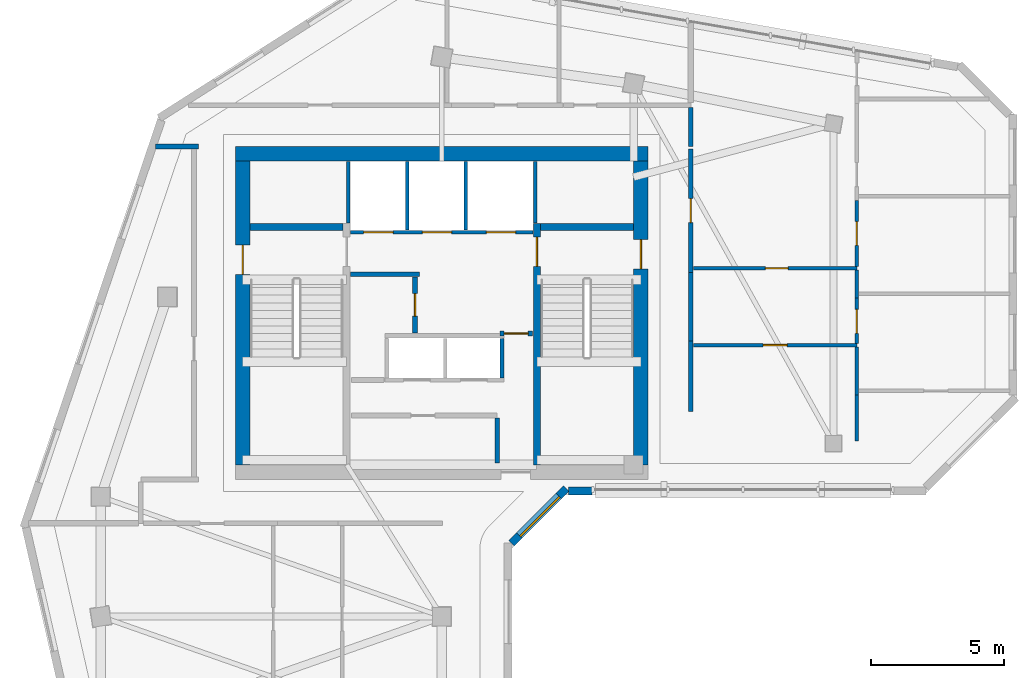
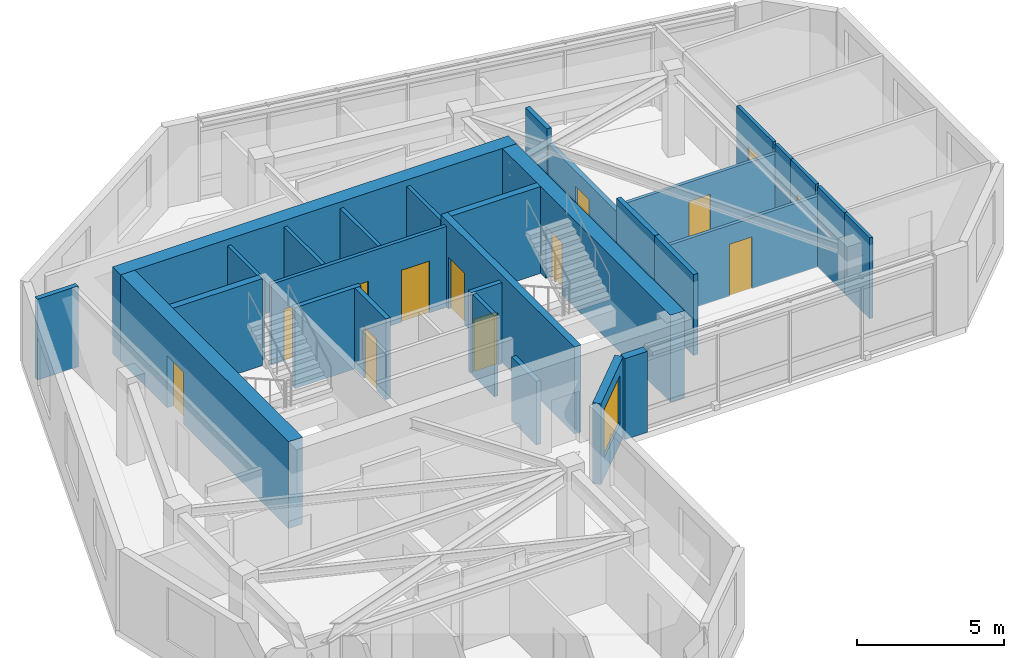
# One storey, part 4 of 8: 30 walls, 13 doors, 1 window, 14 openings.
"""IFC4 building model written with IfcOpenShell, lengths in metres."""

from ifc_helpers import new_model, si_unit, direction, frame, frame_2d, origin, place, context, subcontext, project, spatial, rectangle, extrude, source, transform, mapped, material, layer, layer_set, type_object, element, fill, save


model = new_model("IFC4")

# Units and contexts
model_context = context("Model", 3, precision=1e-05, world=origin(), true_north=direction((0.0, 1.0)))
body_context = subcontext(model_context, "Body", "Model", "MODEL_VIEW")
ifc_project = project(units=[si_unit("LENGTHUNIT", "METRE"), si_unit("AREAUNIT", "SQUARE_METRE"), si_unit("VOLUMEUNIT", "CUBIC_METRE"), si_unit("PLANEANGLEUNIT", "RADIAN"), si_unit("MASSUNIT", "GRAM", prefix="KILO")], contexts=[model_context])

# Site, building, storey
site_placement = place(None, origin())
site = spatial("IfcSite", under=ifc_project, at=site_placement, CompositionType="ELEMENT")
building_placement = place(site_placement, origin())
building = spatial("IfcBuilding", under=site, at=building_placement, Name="Calvemar Wedge Station Tower", CompositionType="ELEMENT")
storey_placement = place(building_placement, frame((0.0, 0.0, 249.300048828125)))
storey = spatial("IfcBuildingStorey", under=building, at=storey_placement, Name="L63", CompositionType="ELEMENT", Elevation=249.300048828125)

# Wall, opening, door
ifc_material_1 = material(Name="Concrete C50", Category="concrete")
ifc_layer_1 = layer(ifc_material_1, 0.260009765625)
ifc_layer_set_1 = layer_set([ifc_layer_1], Name="Concrete C50")
wall_type_1 = type_object("IfcWallType", Name="SW-CORE-260", PredefinedType="SHEAR", material=ifc_layer_set_1)
wall_1_placement = place(storey_placement, frame((27.3701171875, 34.199951171875, 0.0), z_axis=(0.0, 0.0, 1.0), x_axis=(0.0, 1.0, 0.0)))
wall_1 = element("IfcWall", 1, at=wall_1_placement, inside=storey, type_object=wall_type_1, Name="Storey L63 Core Shear Wall SPINE-E", PredefinedType="SHEAR", context=body_context, shape_type="SweptSolid", body=[
    extrude(rectangle(XDim=9.06005859375, YDim=0.260009765625, at=frame_2d((4.530029296875, 0.0))), origin(), (0.0, 0.0, 1.0), 3.599853515625),
])
shared_shape_1 = source(origin(), body_context, "Body", "SweptSolid", [
    extrude(rectangle(XDim=1.10009765625, YDim=2.14990234375, at=frame_2d((0.550048828125, 1.074951171875))), frame((0.0, 0.14013671875, 0.0), z_axis=(0.0, -1.0, 0.0), x_axis=(1.0, 0.0, 0.0)), (0.0, 0.0, 1.0), 0.280029296875),
])
opening_1_placement = place(wall_1_placement, frame((7.449951171875, 0.0, 0.0)))
opening_1 = element("IfcOpeningElement", 2, at=opening_1_placement, cuts=wall_1, Name="Opening FD-90", PredefinedType="OPENING", context=body_context, shape_type="MappedRepresentation", body=[
    mapped(shared_shape_1, transform((0.0, 0.0, 0.0), scale=1.0)),
])
ifc_material_2 = material(Name="Galvanized fire-rated steel door leaf P-90", Category="steel")
door_type_1 = type_object("IfcDoorType", Name="DR-FD90-1100", OperationType="NOTDEFINED", PredefinedType="DOOR", material=ifc_material_2)
shared_shape_2 = source(origin(), body_context, "Body", "SweptSolid", [
    extrude(rectangle(XDim=1.10009765625, YDim=2.14990234375, at=frame_2d((0.550048828125, 1.074951171875))), frame((0.0, 0.02490234375, 0.0), z_axis=(0.0, -1.0, 0.0), x_axis=(1.0, 0.0, 0.0)), (0.0, 0.0, 1.0), 0.050048828125),
])
door_1_placement = place(opening_1_placement, origin())
door_1 = element("IfcDoor", 3, at=door_1_placement, inside=storey, type_object=door_type_1, Name="L63 FF Lobby to Stair ST-C2 Door", OperationType="SINGLE_SWING_LEFT", OverallHeight=2.14990234375, OverallWidth=1.10009765625, PredefinedType="DOOR", context=body_context, shape_type="MappedRepresentation", body=[
    mapped(shared_shape_2, transform((0.0, 0.0, 0.0), scale=1.0)),
])
fill(opening_1, door_1)

# Walls
for number, where, z_axis, x_axis, name in (
    (4, (16.60009765625, 43.1298828125, 0.0), (0.0, 0.0, 1.0), (1.0, 0.0, 0.0), "Storey L63 Core Shear Wall STC1-N"),
    (5, (27.5, 43.1298828125, 0.0), (0.0, 0.0, 1.0), (1.0, 0.0, 0.0), "Storey L63 Core Shear Wall STC2-N"),
):
    element("IfcWall", number, at=place(storey_placement, frame(where, z_axis=z_axis, x_axis=x_axis)), inside=storey, type_object=wall_type_1, Name=name, PredefinedType="SHEAR", context=body_context, shape_type="SweptSolid", body=[
        extrude(rectangle(XDim=3.5, YDim=0.260009765625, at=frame_2d((1.75, 0.0))), origin(), (0.0, 0.0, 1.0), 3.599853515625),
    ])
ifc_material_3 = material(Name="Concrete C60", Category="concrete")
ifc_layer_2 = layer(ifc_material_3, 0.550048828125)
ifc_layer_set_2 = layer_set([ifc_layer_2], Name="Concrete C60")
wall_type_2 = type_object("IfcWallType", Name="SW-CORE-550", PredefinedType="SHEAR", material=ifc_layer_set_2)
wall_2_placement = place(storey_placement, frame((16.050048828125, 45.875, 0.0), z_axis=(0.0, 0.0, 1.0), x_axis=(1.0, 0.0, 0.0)))
element("IfcWall", 6, at=wall_2_placement, inside=storey, type_object=wall_type_2, Name="Storey L63 Core Shear Wall N", PredefinedType="SHEAR", context=body_context, shape_type="SweptSolid", body=[
    extrude(rectangle(XDim=15.5, YDim=0.550048828125, at=frame_2d((7.75, 0.0))), origin(), (0.0, 0.0, 1.0), 3.599853515625),
])

# Wall, opening, door
wall_3_placement = place(storey_placement, frame((16.324951171875, 34.199951171875, 0.0), z_axis=(0.0, 0.0, 1.0), x_axis=(0.0, 1.0, 0.0)))
wall_3 = element("IfcWall", 7, at=wall_3_placement, inside=storey, type_object=wall_type_2, Name="Storey L63 Core Shear Wall W", PredefinedType="SHEAR", context=body_context, shape_type="SweptSolid", body=[
    extrude(rectangle(XDim=11.400146484375, YDim=0.550048828125, at=frame_2d((5.7001953125, 0.0))), origin(), (0.0, 0.0, 1.0), 3.599853515625),
])
shared_shape_3 = source(origin(), body_context, "Body", "SweptSolid", [
    extrude(rectangle(XDim=1.10009765625, YDim=2.14990234375, at=frame_2d((0.550048828125, 1.074951171875))), frame((0.0, 0.28515625, 0.0), z_axis=(0.0, -1.0, 0.0), x_axis=(1.0, 0.0, 0.0)), (0.0, 0.0, 1.0), 0.570068359375),
])
opening_2_placement = place(wall_3_placement, frame((7.14990234375, 0.0, 0.0)))
opening_2 = element("IfcOpeningElement", 8, at=opening_2_placement, cuts=wall_3, Name="Opening FD-90", PredefinedType="OPENING", context=body_context, shape_type="MappedRepresentation", body=[
    mapped(shared_shape_3, transform((0.0, 0.0, 0.0), scale=1.0)),
])
door_2_placement = place(opening_2_placement, origin())
door_2 = element("IfcDoor", 9, at=door_2_placement, inside=storey, type_object=door_type_1, Name="L63 West Corridor to Exit Stair ST-C1 Door", OperationType="SINGLE_SWING_RIGHT", OverallHeight=2.14990234375, OverallWidth=1.10009765625, PredefinedType="DOOR", context=body_context, shape_type="MappedRepresentation", body=[
    mapped(shared_shape_2, transform((0.0, 0.0, 0.0), scale=1.0)),
])
fill(opening_2, door_2)

wall_4_placement = place(storey_placement, frame((31.27490234375, 34.199951171875, 0.0), z_axis=(0.0, 0.0, 1.0), x_axis=(0.0, 1.0, 0.0)))
wall_4 = element("IfcWall", 10, at=wall_4_placement, inside=storey, type_object=wall_type_2, Name="Storey L63 Core Shear Wall E", PredefinedType="SHEAR", context=body_context, shape_type="SweptSolid", body=[
    extrude(rectangle(XDim=11.400146484375, YDim=0.550048828125, at=frame_2d((5.7001953125, 0.0))), origin(), (0.0, 0.0, 1.0), 3.599853515625),
])
opening_3_placement = place(wall_4_placement, frame((7.35009765625, 0.0, 0.0)))
opening_3 = element("IfcOpeningElement", 11, at=opening_3_placement, cuts=wall_4, Name="Opening FD-90", PredefinedType="OPENING", context=body_context, shape_type="MappedRepresentation", body=[
    mapped(shared_shape_3, transform((0.0, 0.0, 0.0), scale=1.0)),
])
door_3_placement = place(opening_3_placement, origin())
door_3 = element("IfcDoor", 12, at=door_3_placement, inside=storey, type_object=door_type_1, Name="L63 East Corridor to Exit Stair ST-C2 Door", OperationType="SINGLE_SWING_LEFT", OverallHeight=2.14990234375, OverallWidth=1.10009765625, PredefinedType="DOOR", context=body_context, shape_type="MappedRepresentation", body=[
    mapped(shared_shape_2, transform((0.0, 0.0, 0.0), scale=1.0)),
])
fill(opening_3, door_3)

# Wall
ifc_material_4 = material(Name="Double-stud fire-rated corridor partition")
ifc_layer_3 = layer(ifc_material_4, 0.179931640625)
ifc_layer_set_3 = layer_set([ifc_layer_3], Name="Double-stud fire-rated corridor partition")
wall_type_3 = type_object("IfcWallType", Name="W-CORR-180", PredefinedType="PARTITIONING", material=ifc_layer_set_3)
wall_5_placement = place(storey_placement, frame((22.9599609375, 41.35009765625, 0.0), z_axis=(0.0, 0.0, 1.0), x_axis=(-1.0, 0.0, 0.0)))
element("IfcWall", 13, at=wall_5_placement, inside=storey, type_object=wall_type_3, Name="Storey L63 Interior Partition WL-L63-001", PredefinedType="PARTITIONING", context=body_context, shape_type="SweptSolid", body=[
    extrude(rectangle(XDim=2.580078125, YDim=0.179931640625, at=frame_2d((1.2900390625, 0.0))), origin(), (0.0, 0.0, 1.0), 3.349853515625),
])

# Wall, opening, door
wall_6_placement = place(storey_placement, frame((22.800048828125, 41.256103515625, 0.0), z_axis=(0.0, 0.0, 1.0), x_axis=(0.0, -1.0, 0.0)))
wall_6 = element("IfcWall", 14, at=wall_6_placement, inside=storey, type_object=wall_type_3, Name="Storey L63 Interior Partition WL-L63-002", PredefinedType="PARTITIONING", context=body_context, shape_type="SweptSolid", body=[
    extrude(rectangle(XDim=2.106201171875, YDim=0.179931640625, at=frame_2d((1.05322265625, 0.0))), origin(), (0.0, 0.0, 1.0), 3.349853515625),
])
shared_shape_4 = source(origin(), body_context, "Body", "SweptSolid", [
    extrude(rectangle(XDim=0.85009765625, YDim=2.14990234375, at=frame_2d((0.425048828125, 1.074951171875))), frame((0.0, 0.10009765625, 0.0), z_axis=(0.0, -1.0, 0.0), x_axis=(1.0, 0.0, 0.0)), (0.0, 0.0, 1.0), 0.199951171875),
])
opening_4_placement = place(wall_6_placement, frame((0.6279296875, 0.0, 0.0)))
opening_4 = element("IfcOpeningElement", 15, at=opening_4_placement, cuts=wall_6, Name="Opening FD-60S", PredefinedType="OPENING", context=body_context, shape_type="MappedRepresentation", body=[
    mapped(shared_shape_4, transform((0.0, 0.0, 0.0), scale=1.0)),
])
ifc_material_5 = material(Name="Fire-rated steel and hardwood service door EI 60", Category="steel")
door_type_2 = type_object("IfcDoorType", Name="DR-CORE-FD60-850", OperationType="NOTDEFINED", PredefinedType="DOOR", material=ifc_material_5)
shared_shape_5 = source(origin(), body_context, "Body", "SweptSolid", [
    extrude(rectangle(XDim=0.85009765625, YDim=2.14990234375, at=frame_2d((0.425048828125, 1.074951171875))), frame((0.0, 0.02490234375, 0.0), z_axis=(0.0, -1.0, 0.0), x_axis=(1.0, 0.0, 0.0)), (0.0, 0.0, 1.0), 0.050048828125),
])
door_4_placement = place(opening_4_placement, origin())
door_4 = element("IfcDoor", 16, at=door_4_placement, inside=storey, type_object=door_type_2, Name="L63 Core Electrical Switch Room Door", OperationType="SINGLE_SWING_LEFT", OverallHeight=2.14990234375, OverallWidth=0.85009765625, PredefinedType="DOOR", context=body_context, shape_type="MappedRepresentation", body=[
    mapped(shared_shape_5, transform((0.0, 0.0, 0.0), scale=1.0)),
])
fill(opening_4, door_4)

wall_7_placement = place(storey_placement, frame((27.199951171875, 39.1298828125, 0.0), z_axis=(0.0, 0.0, 1.0), x_axis=(-1.0, 0.0, 0.0)))
wall_7 = element("IfcWall", 17, at=wall_7_placement, inside=storey, type_object=wall_type_3, Name="Storey L63 Interior Partition WL-L63-004", PredefinedType="PARTITIONING", context=body_context, shape_type="SweptSolid", body=[
    extrude(rectangle(XDim=1.2099609375, YDim=0.179931640625, at=frame_2d((0.60498046875, 0.0))), origin(), (0.0, 0.0, 1.0), 3.349853515625),
])
shared_shape_6 = source(origin(), body_context, "Body", "SweptSolid", [
    extrude(rectangle(XDim=0.89990234375, YDim=2.14990234375, at=frame_2d((0.449951171875, 1.074951171875))), frame((0.0, 0.10009765625, 0.0), z_axis=(0.0, -1.0, 0.0), x_axis=(1.0, 0.0, 0.0)), (0.0, 0.0, 1.0), 0.199951171875),
])
opening_5_placement = place(wall_7_placement, frame((0.155029296875, 0.0, 0.0)))
opening_5 = element("IfcOpeningElement", 18, at=opening_5_placement, cuts=wall_7, Name="Opening FD-60", PredefinedType="OPENING", context=body_context, shape_type="MappedRepresentation", body=[
    mapped(shared_shape_6, transform((0.0, 0.0, 0.0), scale=1.0)),
])
ifc_material_6 = material(Name="Fire-rated acoustic timber-core entrance door EI 60", Category="wood")
door_type_3 = type_object("IfcDoorType", Name="DR-FD60-900", OperationType="NOTDEFINED", PredefinedType="DOOR", material=ifc_material_6)
shared_shape_7 = source(origin(), body_context, "Body", "SweptSolid", [
    extrude(rectangle(XDim=0.89990234375, YDim=2.14990234375, at=frame_2d((0.449951171875, 1.074951171875))), frame((0.0, 0.02490234375, 0.0), z_axis=(0.0, -1.0, 0.0), x_axis=(1.0, 0.0, 0.0)), (0.0, 0.0, 1.0), 0.050048828125),
])
door_5_placement = place(opening_5_placement, origin())
door_5 = element("IfcDoor", 19, at=door_5_placement, inside=storey, type_object=door_type_3, Name="L63 Core Service Lobby Door", OperationType="SINGLE_SWING_RIGHT", OverallHeight=2.14990234375, OverallWidth=0.89990234375, PredefinedType="DOOR", context=body_context, shape_type="MappedRepresentation", body=[
    mapped(shared_shape_7, transform((0.0, 0.0, 0.0), scale=1.0)),
])
fill(opening_5, door_5)

# Walls
wall_8_placement = place(storey_placement, frame((25.8798828125, 35.9560546875, 0.0), z_axis=(0.0, 0.0, 1.0), x_axis=(0.0, -1.0, 0.0)))
element("IfcWall", 20, at=wall_8_placement, inside=storey, type_object=wall_type_3, Name="Storey L63 Interior Partition WL-L63-006", PredefinedType="PARTITIONING", context=body_context, shape_type="SweptSolid", body=[
    extrude(rectangle(XDim=1.68603515625, YDim=0.179931640625, at=frame_2d((0.843017578125, 0.0))), origin(), (0.0, 0.0, 1.0), 2.641845703125),
])
wall_9_placement = place(storey_placement, frame((14.659912109375, 46.14990234375, 0.0), z_axis=(0.0, 0.0, 1.0), x_axis=(-1.0, 0.0, 0.0)))
element("IfcWall", 21, at=wall_9_placement, inside=storey, type_object=wall_type_3, Name="Storey L63 Interior Partition WL-L63-013", PredefinedType="PARTITIONING", context=body_context, shape_type="SweptSolid", body=[
    extrude(rectangle(XDim=1.602294921875, YDim=0.179931640625, at=frame_2d((0.80126953125, 0.0))), origin(), (0.0, 0.0, 1.0), 3.349853515625),
])
wall_10_placement = place(storey_placement, frame((33.14990234375, 47.60595703125, 0.0), z_axis=(0.0, 0.0, 1.0), x_axis=(0.0, -1.0, 0.0)))
element("IfcWall", 22, at=wall_10_placement, inside=storey, type_object=wall_type_3, Name="Storey L63 Interior Partition WL-L63-017", PredefinedType="PARTITIONING", context=body_context, shape_type="SweptSolid", body=[
    extrude(rectangle(XDim=1.4560546875, YDim=0.179931640625, at=frame_2d((0.72802734375, 0.0))), origin(), (0.0, 0.0, 1.0), 3.349853515625),
])
wall_11_placement = place(storey_placement, frame((33.14990234375, 38.85205078125, 0.0), z_axis=(0.0, 0.0, 1.0), x_axis=(0.0, -1.0, 0.0)))
element("IfcWall", 23, at=wall_11_placement, inside=storey, type_object=wall_type_3, Name="Storey L63 Interior Partition WL-L63-018", PredefinedType="PARTITIONING", context=body_context, shape_type="SweptSolid", body=[
    extrude(rectangle(XDim=2.652099609375, YDim=0.179931640625, at=frame_2d((1.326171875, 0.0))), origin(), (0.0, 0.0, 1.0), 3.349853515625),
])

# Wall, opening, door
wall_12_placement = place(storey_placement, frame((33.14990234375, 46.055908203125, 0.0), z_axis=(0.0, 0.0, 1.0), x_axis=(0.0, -1.0, 0.0)))
wall_12 = element("IfcWall", 24, at=wall_12_placement, inside=storey, type_object=wall_type_3, Name="Storey L63 Interior Partition WL-L63-019", PredefinedType="PARTITIONING", context=body_context, shape_type="SweptSolid", body=[
    extrude(rectangle(XDim=4.635986328125, YDim=0.179931640625, at=frame_2d((2.31787109375, 0.0))), origin(), (0.0, 0.0, 1.0), 2.787841796875),
])
opening_6_placement = place(wall_12_placement, frame((1.867919921875, 0.0, 0.0)))
opening_6 = element("IfcOpeningElement", 25, at=opening_6_placement, cuts=wall_12, Name="Opening FD-60", PredefinedType="OPENING", context=body_context, shape_type="MappedRepresentation", body=[
    mapped(shared_shape_6, transform((0.0, 0.0, 0.0), scale=1.0)),
])
door_6_placement = place(opening_6_placement, origin())
door_6 = element("IfcDoor", 26, at=door_6_placement, inside=storey, type_object=door_type_3, Name="L63 Living Dining Door", OperationType="SINGLE_SWING_LEFT", OverallHeight=2.14990234375, OverallWidth=0.89990234375, PredefinedType="DOOR", context=body_context, shape_type="MappedRepresentation", body=[
    mapped(shared_shape_7, transform((0.0, 0.0, 0.0), scale=1.0)),
])
fill(opening_6, door_6)

# Wall
wall_13_placement = place(storey_placement, frame((33.14990234375, 41.41796875, 0.0), z_axis=(0.0, 0.0, 1.0), x_axis=(0.0, -1.0, 0.0)))
element("IfcWall", 27, at=wall_13_placement, inside=storey, type_object=wall_type_3, Name="Storey L63 Interior Partition WL-L63-020", PredefinedType="PARTITIONING", context=body_context, shape_type="SweptSolid", body=[
    extrude(rectangle(XDim=2.56396484375, YDim=0.179931640625, at=frame_2d((1.281982421875, 0.0))), origin(), (0.0, 0.0, 1.0), 3.349853515625),
])

# Wall, opening, window
ifc_material_7 = material(Name="Precast concrete C45", Category="concrete")
ifc_layer_4 = layer(ifc_material_7, 0.300048828125)
ifc_layer_set_4 = layer_set([ifc_layer_4], Name="Precast concrete C45")
wall_type_4 = type_object("IfcWallType", Name="W-EXT-GFRC-300", PredefinedType="SOLIDWALL", material=ifc_layer_set_4)
wall_14_placement = place(storey_placement, frame((26.419921875, 31.256103515625, 0.0), z_axis=(0.0, 0.0, 1.0), x_axis=(0.707106781187, 0.707106781187, 0.0)))
wall_14 = element("IfcWall", 28, at=wall_14_placement, inside=storey, type_object=wall_type_4, Name="Storey L63 Bronze GFRC Exterior Wall 5", PredefinedType="SOLIDWALL", context=body_context, shape_type="SweptSolid", body=[
    extrude(rectangle(XDim=2.907470703125, YDim=0.300048828125, at=frame_2d((1.45361328125, 0.0))), origin(), (0.0, 0.0, 1.0), 3.349853515625),
])
shared_shape_8 = source(origin(), body_context, "Body", "SweptSolid", [
    extrude(rectangle(XDim=2.10009765625, YDim=2.0, at=frame_2d((1.050048828125, 1.0))), frame((0.0, 0.16015625, 0.0), z_axis=(0.0, -1.0, 0.0), x_axis=(1.0, 0.0, 0.0)), (0.0, 0.0, 1.0), 0.320068359375),
])
opening_7_placement = place(wall_14_placement, frame((0.404052734375, 0.0, 0.85009765625)))
opening_7 = element("IfcOpeningElement", 29, at=opening_7_placement, cuts=wall_14, Name="Opening W4", PredefinedType="OPENING", context=body_context, shape_type="MappedRepresentation", body=[
    mapped(shared_shape_8, transform((0.0, 0.0, 0.0), scale=1.0)),
])
ifc_material_8 = material(Name="Low-E laminated insulated glass", Category="glass")
window_type = type_object("IfcWindowType", Name="WIN-EXT-4", PartitioningType="SINGLE_PANEL", PredefinedType="WINDOW", material=ifc_material_8)
shared_shape_9 = source(origin(), body_context, "Body", "SweptSolid", [
    extrude(rectangle(XDim=2.10009765625, YDim=2.0, at=frame_2d((1.050048828125, 1.0))), frame((0.0, -0.014892578125, 0.0), z_axis=(0.0, -1.0, 0.0), x_axis=(1.0, 0.0, 0.0)), (0.0, 0.0, 1.0), 0.06005859375),
])
window_placement = place(opening_7_placement, origin())
window = element("IfcWindow", 30, at=window_placement, inside=storey, type_object=window_type, Name="Storey L63 Recessed Window 5.1", OverallHeight=2.0, OverallWidth=2.10009765625, PartitioningType="SINGLE_PANEL", PredefinedType="WINDOW", context=body_context, shape_type="MappedRepresentation", body=[
    mapped(shared_shape_9, transform((0.0, 0.0, 0.0), scale=1.0)),
])
fill(opening_7, window)

# Wall
wall_15_placement = place(storey_placement, frame((28.56494140625, 33.2060546875, 0.0), z_axis=(0.0, 0.0, 1.0), x_axis=(1.0, 0.0, 0.0)))
element("IfcWall", 31, at=wall_15_placement, inside=storey, type_object=wall_type_4, Name="Storey L63 Bronze GFRC Corner Pier 6A", PredefinedType="SOLIDWALL", context=body_context, shape_type="SweptSolid", body=[
    extrude(rectangle(XDim=0.8798828125, YDim=0.300048828125, at=frame_2d((0.43994140625, 0.0))), origin(), (0.0, 0.0, 1.0), 3.349853515625),
])

# Wall, openings, doors
ifc_material_9 = material(Name="Reinforced concrete blockwork lift shaft wall", Category="masonry")
ifc_layer_5 = layer(ifc_material_9, 0.139892578125)
ifc_layer_set_5 = layer_set([ifc_layer_5], Name="Reinforced concrete blockwork lift shaft wall")
wall_type_5 = type_object("IfcWallType", Name="W-LIFT-160", PredefinedType="SOLIDWALL", material=ifc_layer_set_5)
wall_16_placement = place(storey_placement, frame((20.3701171875, 42.929931640625, 0.0), z_axis=(0.0, 0.0, 1.0), x_axis=(1.0, 0.0, 0.0)))
wall_16 = element("IfcWall", 32, at=wall_16_placement, inside=storey, type_object=wall_type_5, Name="Storey L63 Firefighting and Service Lift Shaft Front Wall", PredefinedType="SOLIDWALL", context=body_context, shape_type="SweptSolid", body=[
    extrude(rectangle(XDim=6.85986328125, YDim=0.139892578125, at=frame_2d((3.429931640625, 0.0))), origin(), (0.0, 0.0, 1.0), 3.349853515625),
])
shared_shape_10 = source(origin(), body_context, "Body", "SweptSolid", [
    extrude(rectangle(XDim=1.10009765625, YDim=2.14990234375, at=frame_2d((0.550048828125, 1.074951171875))), frame((0.0, 0.080078125, 0.0), z_axis=(0.0, -1.0, 0.0), x_axis=(1.0, 0.0, 0.0)), (0.0, 0.0, 1.0), 0.159912109375),
])
opening_8_placement = place(wall_16_placement, frame((0.5, 0.0, 0.0)))
opening_8 = element("IfcOpeningElement", 33, at=opening_8_placement, cuts=wall_16, Name="Opening LD-FF", PredefinedType="OPENING", context=body_context, shape_type="MappedRepresentation", body=[
    mapped(shared_shape_10, transform((0.0, 0.0, 0.0), scale=1.0)),
])
opening_9_placement = place(wall_16_placement, frame((2.699951171875, 0.0, 0.0)))
opening_9 = element("IfcOpeningElement", 34, at=opening_9_placement, cuts=wall_16, Name="Opening LD-FF", PredefinedType="OPENING", context=body_context, shape_type="MappedRepresentation", body=[
    mapped(shared_shape_10, transform((0.0, 0.0, 0.0), scale=1.0)),
])
opening_10_placement = place(wall_16_placement, frame((5.10009765625, 0.0, 0.0)))
opening_10 = element("IfcOpeningElement", 35, at=opening_10_placement, cuts=wall_16, Name="Opening LD-STN", PredefinedType="OPENING", context=body_context, shape_type="MappedRepresentation", body=[
    mapped(shared_shape_10, transform((0.0, 0.0, 0.0), scale=1.0)),
])
ifc_material_10 = material(Name="Stainless steel firefighting lift sliding landing door", Category="steel")
door_type_4 = type_object("IfcDoorType", Name="DR-LD-FF-1100", OperationType="SLIDING_TO_LEFT", PredefinedType="DOOR", material=ifc_material_10)
shared_shape_11 = source(origin(), body_context, "Body", "SweptSolid", [
    extrude(rectangle(XDim=1.10009765625, YDim=2.14990234375, at=frame_2d((0.550048828125, 1.074951171875))), frame((0.0, 0.02490234375, 0.0), z_axis=(0.0, -1.0, 0.0), x_axis=(1.0, 0.0, 0.0)), (0.0, 0.0, 1.0), 0.050048828125),
])
door_7_placement = place(opening_8_placement, origin())
door_7 = element("IfcDoor", 36, at=door_7_placement, inside=storey, type_object=door_type_4, Name="L63 Lift FF-01 Sliding Landing Door", OperationType="SLIDING_TO_LEFT", OverallHeight=2.14990234375, OverallWidth=1.10009765625, PredefinedType="DOOR", context=body_context, shape_type="MappedRepresentation", body=[
    mapped(shared_shape_11, transform((0.0, 0.0, 0.0), scale=1.0)),
])
fill(opening_8, door_7)
door_8_placement = place(opening_9_placement, origin())
door_8 = element("IfcDoor", 37, at=door_8_placement, inside=storey, type_object=door_type_4, Name="L63 Lift FF-02 Sliding Landing Door", OperationType="SLIDING_TO_RIGHT", OverallHeight=2.14990234375, OverallWidth=1.10009765625, PredefinedType="DOOR", context=body_context, shape_type="MappedRepresentation", body=[
    mapped(shared_shape_11, transform((0.0, 0.0, 0.0), scale=1.0)),
])
fill(opening_9, door_8)
ifc_material_11 = material(Name="Stainless steel transit lift sliding landing door", Category="steel")
door_type_5 = type_object("IfcDoorType", Name="DR-LD-PAX-1100", OperationType="SLIDING_TO_LEFT", PredefinedType="DOOR", material=ifc_material_11)
shared_shape_12 = source(origin(), body_context, "Body", "SweptSolid", [
    extrude(rectangle(XDim=1.10009765625, YDim=2.14990234375, at=frame_2d((0.550048828125, 1.074951171875))), frame((0.0, 0.02490234375, 0.0), z_axis=(0.0, -1.0, 0.0), x_axis=(1.0, 0.0, 0.0)), (0.0, 0.0, 1.0), 0.050048828125),
])
door_9_placement = place(opening_10_placement, origin())
door_9 = element("IfcDoor", 38, at=door_9_placement, inside=storey, type_object=door_type_5, Name="L63 Lift SV-01 Sliding Landing Door", OperationType="SLIDING_TO_LEFT", OverallHeight=2.14990234375, OverallWidth=1.10009765625, PredefinedType="DOOR", context=body_context, shape_type="MappedRepresentation", body=[
    mapped(shared_shape_12, transform((0.0, 0.0, 0.0), scale=1.0)),
])
fill(opening_10, door_9)

# Walls
for number, where, z_axis, x_axis, name in (
    (39, (20.2900390625, 43.280029296875, 0.0), (0.0, 0.0, 1.0), (0.0, 1.0, 0.0), "Storey L63 Firefighting Lift Shaft Enclosure Wall W"),
    (40, (27.31005859375, 43.280029296875, 0.0), (0.0, 0.0, 1.0), (0.0, 1.0, 0.0), "Storey L63 Firefighting Lift Shaft Enclosure Wall E"),
):
    element("IfcWall", number, at=place(storey_placement, frame(where, z_axis=z_axis, x_axis=x_axis)), inside=storey, type_object=wall_type_5, Name=name, PredefinedType="SOLIDWALL", context=body_context, shape_type="SweptSolid", body=[
        extrude(rectangle(XDim=2.300048828125, YDim=0.139892578125, at=frame_2d((1.14990234375, 0.0))), origin(), (0.0, 0.0, 1.0), 3.349853515625),
    ])
for number, where, z_axis, x_axis, name in (
    (41, (22.5, 43.02001953125, 0.0), (0.0, 0.0, 1.0), (0.0, 1.0, 0.0), "Storey L63 Firefighting Lift Shaft Enclosure Wall D1"),
    (42, (24.699951171875, 43.02001953125, 0.0), (0.0, 0.0, 1.0), (0.0, 1.0, 0.0), "Storey L63 Firefighting Lift Shaft Enclosure Wall D2"),
):
    element("IfcWall", number, at=place(storey_placement, frame(where, z_axis=z_axis, x_axis=x_axis)), inside=storey, type_object=wall_type_5, Name=name, PredefinedType="SOLIDWALL", context=body_context, shape_type="SweptSolid", body=[
        extrude(rectangle(XDim=2.56005859375, YDim=0.139892578125, at=frame_2d((1.280029296875, 0.0))), origin(), (0.0, 0.0, 1.0), 3.349853515625),
    ])
wall_17_placement = place(storey_placement, frame((26.06005859375, 37.4599609375, 0.0), z_axis=(0.0, 0.0, 1.0), x_axis=(0.0, 1.0, 0.0)))
element("IfcWall", 43, at=wall_17_placement, inside=storey, type_object=wall_type_5, Name="Storey L63 Upper Passenger Lift Shaft Wall E", PredefinedType="SOLIDWALL", context=body_context, shape_type="SweptSolid", body=[
    extrude(rectangle(XDim=1.47998046875, YDim=0.139892578125, at=frame_2d((0.739990234375, 0.0))), origin(), (0.0, 0.0, 1.0), 3.349853515625),
])

# Wall, opening, door
ifc_material_12 = material(Name="Insulated acoustic gypsum stud partition")
ifc_layer_6 = layer(ifc_material_12, 0.125)
ifc_layer_set_6 = layer_set([ifc_layer_6], Name="Insulated acoustic gypsum stud partition")
wall_type_6 = type_object("IfcWallType", Name="W-PART-125", PredefinedType="PARTITIONING", material=ifc_layer_set_6)
wall_18_placement = place(storey_placement, frame((33.243896484375, 38.69189453125, 0.0), z_axis=(0.0, 0.0, 1.0), x_axis=(1.0, 0.0, 0.0)))
wall_18 = element("IfcWall", 44, at=wall_18_placement, inside=storey, type_object=wall_type_6, Name="Storey L63 Interior Partition WL-L63-025", PredefinedType="PARTITIONING", context=body_context, shape_type="SweptSolid", body=[
    extrude(rectangle(XDim=6.13818359375, YDim=0.125, at=frame_2d((3.069091796875, 0.0))), origin(), (0.0, 0.0, 1.0), 2.93505859375),
])
shared_shape_13 = source(origin(), body_context, "Body", "SweptSolid", [
    extrude(rectangle(XDim=0.89990234375, YDim=2.14990234375, at=frame_2d((0.449951171875, 1.074951171875))), frame((0.0, 0.072509765625, 0.0), z_axis=(0.0, -1.0, 0.0), x_axis=(1.0, 0.0, 0.0)), (0.0, 0.0, 1.0), 0.14501953125),
])
opening_11_placement = place(wall_18_placement, frame((2.618896484375, 0.0, 0.0)))
opening_11 = element("IfcOpeningElement", 45, at=opening_11_placement, cuts=wall_18, Name="Opening D-01", PredefinedType="OPENING", context=body_context, shape_type="MappedRepresentation", body=[
    mapped(shared_shape_13, transform((0.0, 0.0, 0.0), scale=1.0)),
])
ifc_material_13 = material(Name="Architectural hardwood acoustic swing door", Category="wood")
door_type_6 = type_object("IfcDoorType", Name="DR-INT-900", OperationType="NOTDEFINED", PredefinedType="DOOR", material=ifc_material_13)
shared_shape_14 = source(origin(), body_context, "Body", "SweptSolid", [
    extrude(rectangle(XDim=0.89990234375, YDim=2.14990234375, at=frame_2d((0.449951171875, 1.074951171875))), frame((0.0, 0.02490234375, 0.0), z_axis=(0.0, -1.0, 0.0), x_axis=(1.0, 0.0, 0.0)), (0.0, 0.0, 1.0), 0.050048828125),
])
door_10_placement = place(opening_11_placement, origin())
door_10 = element("IfcDoor", 46, at=door_10_placement, inside=storey, type_object=door_type_6, Name="L63 Study Door", OperationType="SINGLE_SWING_RIGHT", OverallHeight=2.14990234375, OverallWidth=0.89990234375, PredefinedType="DOOR", context=body_context, shape_type="MappedRepresentation", body=[
    mapped(shared_shape_14, transform((0.0, 0.0, 0.0), scale=1.0)),
])
fill(opening_11, door_10)

# Walls
wall_19_placement = place(storey_placement, frame((39.382080078125, 38.62548828125, 0.0), z_axis=(0.0, 0.0, 1.0), x_axis=(0.0, -1.0, 0.0)))
element("IfcWall", 47, at=wall_19_placement, inside=storey, type_object=wall_type_6, Name="Storey L63 Interior Partition WL-L63-026", PredefinedType="PARTITIONING", context=body_context, shape_type="SweptSolid", body=[
    extrude(rectangle(XDim=1.8125, YDim=0.125, at=frame_2d((0.90625, 0.0))), origin(), (0.0, 0.0, 1.0), 3.349853515625),
])
wall_20_placement = place(storey_placement, frame((39.382080078125, 36.81103515625, 0.0), z_axis=(0.0, 0.0, 1.0), x_axis=(0.0, -1.0, 0.0)))
element("IfcWall", 48, at=wall_20_placement, inside=storey, type_object=wall_type_6, Name="Storey L63 Interior Partition WL-L63-027", PredefinedType="PARTITIONING", context=body_context, shape_type="SweptSolid", body=[
    extrude(rectangle(XDim=1.718994140625, YDim=0.125, at=frame_2d((0.859375, 0.0))), origin(), (0.0, 0.0, 1.0), 3.349853515625),
])

# Wall, opening, door
wall_21_placement = place(storey_placement, frame((39.382080078125, 41.580078125, 0.0), z_axis=(0.0, 0.0, 1.0), x_axis=(-1.0, 0.0, 0.0)))
wall_21 = element("IfcWall", 49, at=wall_21_placement, inside=storey, type_object=wall_type_6, Name="Storey L63 Interior Partition WL-L63-028", PredefinedType="PARTITIONING", context=body_context, shape_type="SweptSolid", body=[
    extrude(rectangle(XDim=6.13818359375, YDim=0.125, at=frame_2d((3.069091796875, 0.0))), origin(), (0.0, 0.0, 1.0), 2.93505859375),
])
shared_shape_15 = source(origin(), body_context, "Body", "SweptSolid", [
    extrude(rectangle(XDim=0.85009765625, YDim=2.14990234375, at=frame_2d((0.425048828125, 1.074951171875))), frame((0.0, 0.072509765625, 0.0), z_axis=(0.0, -1.0, 0.0), x_axis=(1.0, 0.0, 0.0)), (0.0, 0.0, 1.0), 0.14501953125),
])
opening_12_placement = place(wall_21_placement, frame((2.58349609375, 0.0, 0.0)))
opening_12 = element("IfcOpeningElement", 50, at=opening_12_placement, cuts=wall_21, Name="Opening D-02", PredefinedType="OPENING", context=body_context, shape_type="MappedRepresentation", body=[
    mapped(shared_shape_15, transform((0.0, 0.0, 0.0), scale=1.0)),
])
ifc_material_14 = material(Name="Moisture-sealed bathroom hardwood swing door", Category="wood")
door_type_7 = type_object("IfcDoorType", Name="DR-WET-850", OperationType="NOTDEFINED", PredefinedType="DOOR", material=ifc_material_14)
shared_shape_16 = source(origin(), body_context, "Body", "SweptSolid", [
    extrude(rectangle(XDim=0.85009765625, YDim=2.14990234375, at=frame_2d((0.425048828125, 1.074951171875))), frame((0.0, 0.02490234375, 0.0), z_axis=(0.0, -1.0, 0.0), x_axis=(1.0, 0.0, 0.0)), (0.0, 0.0, 1.0), 0.050048828125),
])
door_11_placement = place(opening_12_placement, origin())
door_11 = element("IfcDoor", 51, at=door_11_placement, inside=storey, type_object=door_type_7, Name="L63 Kitchen Door", OperationType="SINGLE_SWING_RIGHT", OverallHeight=2.14990234375, OverallWidth=0.85009765625, PredefinedType="DOOR", context=body_context, shape_type="MappedRepresentation", body=[
    mapped(shared_shape_16, transform((0.0, 0.0, 0.0), scale=1.0)),
])
fill(opening_12, door_11)

wall_22_placement = place(storey_placement, frame((39.382080078125, 44.115966796875, 0.0), z_axis=(0.0, 0.0, 1.0), x_axis=(0.0, -1.0, 0.0)))
wall_22 = element("IfcWall", 52, at=wall_22_placement, inside=storey, type_object=wall_type_6, Name="Storey L63 Interior Partition WL-L63-031", PredefinedType="PARTITIONING", context=body_context, shape_type="SweptSolid", body=[
    extrude(rectangle(XDim=2.469482421875, YDim=0.125, at=frame_2d((1.23486328125, 0.0))), origin(), (0.0, 0.0, 1.0), 3.349853515625),
])
opening_13_placement = place(wall_22_placement, frame((0.78466796875, 0.0, 0.0)))
opening_13 = element("IfcOpeningElement", 53, at=opening_13_placement, cuts=wall_22, Name="Opening D-01", PredefinedType="OPENING", context=body_context, shape_type="MappedRepresentation", body=[
    mapped(shared_shape_13, transform((0.0, 0.0, 0.0), scale=1.0)),
])
door_12_placement = place(opening_13_placement, origin())
door_12 = element("IfcDoor", 54, at=door_12_placement, inside=storey, type_object=door_type_6, Name="L63 Bedroom Door", OperationType="SINGLE_SWING_LEFT", OverallHeight=2.14990234375, OverallWidth=0.89990234375, PredefinedType="DOOR", context=body_context, shape_type="MappedRepresentation", body=[
    mapped(shared_shape_14, transform((0.0, 0.0, 0.0), scale=1.0)),
])
fill(opening_13, door_12)

# Wall
wall_23_placement = place(storey_placement, frame((39.382080078125, 41.513427734375, 0.0), z_axis=(0.0, 0.0, 1.0), x_axis=(0.0, -1.0, 0.0)))
element("IfcWall", 55, at=wall_23_placement, inside=storey, type_object=wall_type_6, Name="Storey L63 Interior Partition WL-L63-032", PredefinedType="PARTITIONING", context=body_context, shape_type="SweptSolid", body=[
    extrude(rectangle(XDim=1.04736328125, YDim=0.125, at=frame_2d((0.523681640625, 0.0))), origin(), (0.0, 0.0, 1.0), 3.349853515625),
])

# Wall, opening, door
wall_24_placement = place(storey_placement, frame((39.382080078125, 40.464111328125, 0.0), z_axis=(0.0, 0.0, 1.0), x_axis=(0.0, -1.0, 0.0)))
wall_24 = element("IfcWall", 56, at=wall_24_placement, inside=storey, type_object=wall_type_6, Name="Storey L63 Interior Partition WL-L63-033", PredefinedType="PARTITIONING", context=body_context, shape_type="SweptSolid", body=[
    extrude(rectangle(XDim=1.70556640625, YDim=0.125, at=frame_2d((0.852783203125, 0.0))), origin(), (0.0, 0.0, 1.0), 3.349853515625),
])
opening_14_placement = place(wall_24_placement, frame((0.433349609375, 0.0, 0.0)))
opening_14 = element("IfcOpeningElement", 57, at=opening_14_placement, cuts=wall_24, Name="Opening D-01", PredefinedType="OPENING", context=body_context, shape_type="MappedRepresentation", body=[
    mapped(shared_shape_13, transform((0.0, 0.0, 0.0), scale=1.0)),
])
door_13_placement = place(opening_14_placement, origin())
door_13 = element("IfcDoor", 58, at=door_13_placement, inside=storey, type_object=door_type_6, Name="L63 Bedroom Door", OperationType="SINGLE_SWING_RIGHT", OverallHeight=2.14990234375, OverallWidth=0.89990234375, PredefinedType="DOOR", context=body_context, shape_type="MappedRepresentation", body=[
    mapped(shared_shape_14, transform((0.0, 0.0, 0.0), scale=1.0)),
])
fill(opening_14, door_13)

save(model, "model.ifc")
